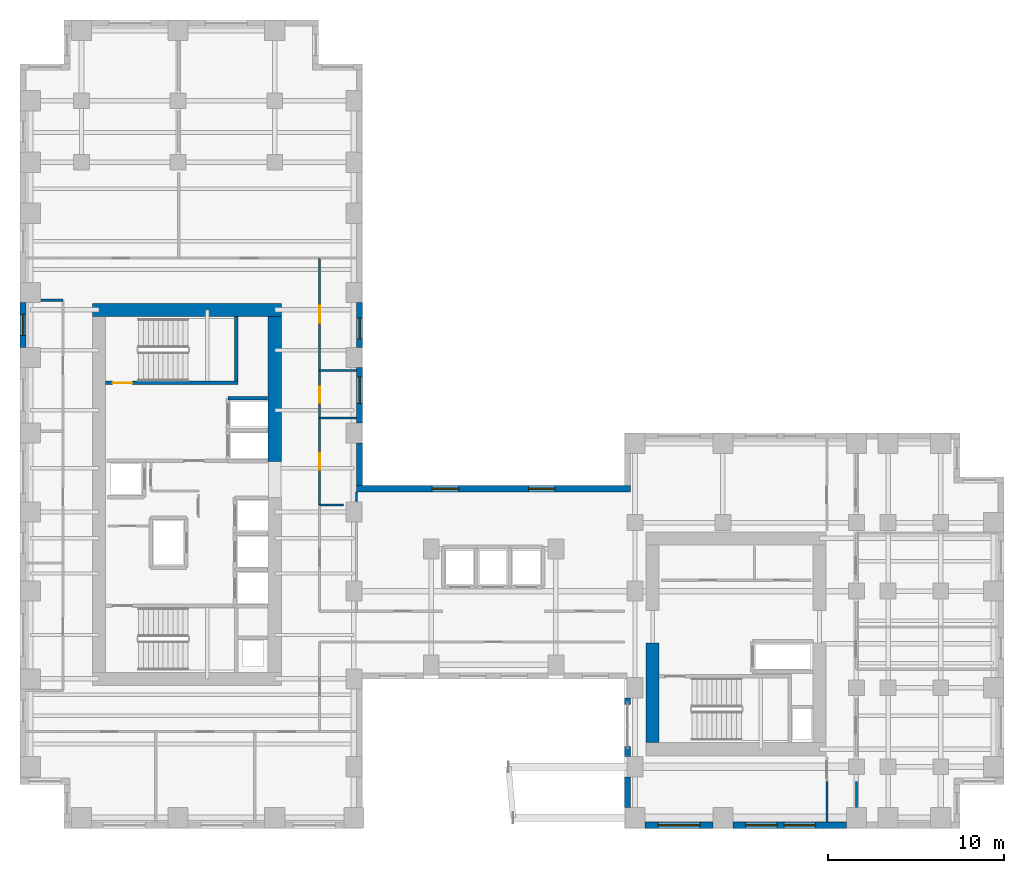
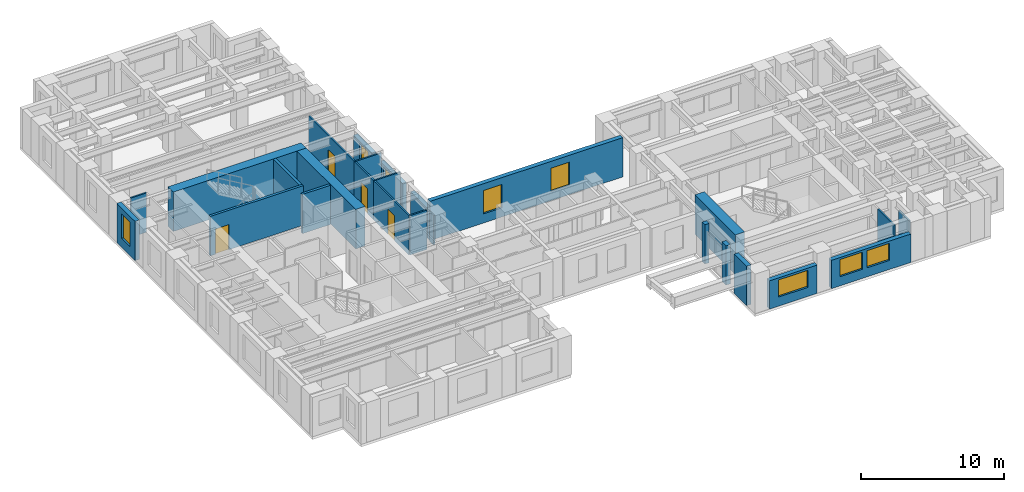
# One storey, part 9 of 14: 26 walls, 8 windows, 4 doors, 12 openings.
"""IFC4 building model written with IfcOpenShell, lengths in metres."""

from ifc_helpers import new_model, si_unit, direction, frame, frame_2d, origin, place, context, subcontext, project, spatial, rectangle, extrude, source, transform, mapped, material, layer, layer_set, type_object, element, fill, save


model = new_model("IFC4")

# Units and contexts
model_context = context("Model", 3, precision=1e-05, world=origin(), true_north=direction((0.0, 1.0)))
body_context = subcontext(model_context, "Body", "Model", "MODEL_VIEW")
ifc_project = project(units=[si_unit("LENGTHUNIT", "METRE"), si_unit("AREAUNIT", "SQUARE_METRE"), si_unit("VOLUMEUNIT", "CUBIC_METRE"), si_unit("PLANEANGLEUNIT", "RADIAN"), si_unit("MASSUNIT", "GRAM", prefix="KILO")], contexts=[model_context])

# Site, building, storey
site_placement = place(None, origin())
site = spatial("IfcSite", under=ifc_project, at=site_placement, CompositionType="ELEMENT")
building_placement = place(site_placement, origin())
building = spatial("IfcBuilding", under=site, at=building_placement, Name="Kharzan Plaza Tower", CompositionType="ELEMENT")
storey_placement = place(building_placement, frame((0.0, 0.0, 131.39990234375)))
storey = spatial("IfcBuildingStorey", under=building, at=storey_placement, Name="L35", CompositionType="ELEMENT", Elevation=131.39990234375)

# Wall, opening, window
ifc_material_1 = material(Name="Concrete C40/50", Category="concrete")
ifc_layer_1 = layer(ifc_material_1, 0.35009765625)
ifc_layer_set_1 = layer_set([ifc_layer_1], Name="Concrete C40/50")
wall_type_1 = type_object("IfcWallType", Name="WL-EXT-MAS-Z2", PredefinedType="SOLIDWALL", material=ifc_layer_set_1)
wall_1_placement = place(storey_placement, frame((19.324951171875, 23.072998046875, 0.0), z_axis=(0.0, 0.0, 1.0), x_axis=(0.0, 1.0, 0.0)))
wall_1 = element("IfcWall", 1, at=wall_1_placement, inside=storey, type_object=wall_type_1, Name="L35 Masonry-Frame Exterior Wall 02", PredefinedType="SOLIDWALL", context=body_context, shape_type="SweptSolid", body=[
    extrude(rectangle(XDim=3.154052734375, YDim=0.35009765625, at=frame_2d((1.5771484375, 0.0))), origin(), (0.0, 0.0, 1.0), 2.51904296875),
])
opening_1_placement = place(wall_1_placement, frame((1.10546875, 0.0, 0.780029296875)))
opening_1 = element("IfcOpeningElement", 2, at=opening_1_placement, cuts=wall_1, Name="Opening W5", PredefinedType="OPENING", context=body_context, shape_type="SweptSolid", body=[
    extrude(rectangle(XDim=1.5, YDim=1.55908203125, at=frame_2d((0.75, 0.779541015625))), frame((0.0, 0.18505859375, 0.0), z_axis=(0.0, -1.0, 0.0), x_axis=(1.0, 0.0, 0.0)), (0.0, 0.0, 1.0), 0.3701171875),
])
ifc_material_2 = material(Name="Low-E Double Glazing", Category="glass")
window_type_1 = type_object("IfcWindowType", Name="WN-SLT-1500x2000", PartitioningType="SINGLE_PANEL", PredefinedType="WINDOW", material=ifc_material_2)
shared_shape_1 = source(origin(), body_context, "Body", "SweptSolid", [
    extrude(rectangle(XDim=1.5, YDim=1.55908203125, at=frame_2d((0.75, 0.779541015625))), frame((0.0, 0.030029296875, 0.0), z_axis=(0.0, -1.0, 0.0), x_axis=(1.0, 0.0, 0.0)), (0.0, 0.0, 1.0), 0.06005859375),
])
window_1_placement = place(opening_1_placement, origin())
window_1 = element("IfcWindow", 3, at=window_1_placement, inside=storey, type_object=window_type_1, Name="L35 Recessed Solar-Control Window 02-1", OverallHeight=1.55908203125, OverallWidth=1.5, PartitioningType="SINGLE_PANEL", PredefinedType="WINDOW", context=body_context, shape_type="MappedRepresentation", body=[
    mapped(shared_shape_1, transform((0.0, 0.0, 0.0), x_axis=(1.0, 0.0, 0.0), y_axis=(0.0, 1.0, 0.0), z_axis=(0.0, 0.0, 1.0))),
])
fill(opening_1, window_1)

wall_2_placement = place(storey_placement, frame((19.324951171875, 27.373046875, 0.0), z_axis=(0.0, 0.0, 1.0), x_axis=(0.0, 1.0, 0.0)))
wall_2 = element("IfcWall", 4, at=wall_2_placement, inside=storey, type_object=wall_type_1, Name="L35 Masonry-Frame Exterior Wall 03", PredefinedType="SOLIDWALL", context=body_context, shape_type="SweptSolid", body=[
    extrude(rectangle(XDim=2.553955078125, YDim=0.35009765625, at=frame_2d((1.27685546875, 0.0))), origin(), (0.0, 0.0, 1.0), 2.51904296875),
])
opening_2_placement = place(wall_2_placement, frame((0.47998046875, 0.0, 0.780029296875)))
opening_2 = element("IfcOpeningElement", 5, at=opening_2_placement, cuts=wall_2, Name="Opening W3", PredefinedType="OPENING", context=body_context, shape_type="SweptSolid", body=[
    extrude(rectangle(XDim=1.199951171875, YDim=1.55908203125, at=frame_2d((0.60009765625, 0.779541015625))), frame((0.0, 0.18505859375, 0.0), z_axis=(0.0, -1.0, 0.0), x_axis=(1.0, 0.0, 0.0)), (0.0, 0.0, 1.0), 0.3701171875),
])
window_type_2 = type_object("IfcWindowType", Name="WN-REC-1200x2100", PartitioningType="SINGLE_PANEL", PredefinedType="WINDOW", material=ifc_material_2)
shared_shape_2 = source(origin(), body_context, "Body", "SweptSolid", [
    extrude(rectangle(XDim=1.199951171875, YDim=1.55908203125, at=frame_2d((0.60009765625, 0.779541015625))), frame((0.0, 0.030029296875, 0.0), z_axis=(0.0, -1.0, 0.0), x_axis=(1.0, 0.0, 0.0)), (0.0, 0.0, 1.0), 0.06005859375),
])
window_2_placement = place(opening_2_placement, origin())
window_2 = element("IfcWindow", 6, at=window_2_placement, inside=storey, type_object=window_type_2, Name="L35 Recessed Solar-Control Window 03-1", OverallHeight=1.55908203125, OverallWidth=1.199951171875, PartitioningType="SINGLE_PANEL", PredefinedType="WINDOW", context=body_context, shape_type="MappedRepresentation", body=[
    mapped(shared_shape_2, transform((0.0, 0.0, 0.0), x_axis=(1.0, 0.0, 0.0), y_axis=(0.0, 1.0, 0.0), z_axis=(0.0, 0.0, 1.0))),
])
fill(opening_2, window_2)

wall_3_placement = place(storey_placement, frame((0.175048828125, 29.927001953125, 0.0), z_axis=(0.0, 0.0, 1.0), x_axis=(0.0, -1.0, 0.0)))
wall_3 = element("IfcWall", 7, at=wall_3_placement, inside=storey, type_object=wall_type_1, Name="L35 Masonry-Frame Exterior Wall 20", PredefinedType="SOLIDWALL", context=body_context, shape_type="SweptSolid", body=[
    extrude(rectangle(XDim=2.553955078125, YDim=0.35009765625, at=frame_2d((1.27685546875, 0.0))), origin(), (0.0, 0.0, 1.0), 3.364990234375),
])
opening_3_placement = place(wall_3_placement, frame((0.677001953125, 0.0, 0.780029296875)))
opening_3 = element("IfcOpeningElement", 8, at=opening_3_placement, cuts=wall_3, Name="Opening W3", PredefinedType="OPENING", context=body_context, shape_type="SweptSolid", body=[
    extrude(rectangle(XDim=1.199951171875, YDim=2.10009765625, at=frame_2d((0.60009765625, 1.050048828125))), frame((0.0, 0.18505859375, 0.0), z_axis=(0.0, -1.0, 0.0), x_axis=(1.0, 0.0, 0.0)), (0.0, 0.0, 1.0), 0.3701171875),
])
shared_shape_3 = source(origin(), body_context, "Body", "SweptSolid", [
    extrude(rectangle(XDim=1.199951171875, YDim=2.10009765625, at=frame_2d((0.60009765625, 1.050048828125))), frame((0.0, 0.030029296875, 0.0), z_axis=(0.0, -1.0, 0.0), x_axis=(1.0, 0.0, 0.0)), (0.0, 0.0, 1.0), 0.06005859375),
])
window_3_placement = place(opening_3_placement, origin())
window_3 = element("IfcWindow", 9, at=window_3_placement, inside=storey, type_object=window_type_2, Name="L35 Recessed Solar-Control Window 20-1", OverallHeight=2.10009765625, OverallWidth=1.199951171875, PartitioningType="SINGLE_PANEL", PredefinedType="WINDOW", context=body_context, shape_type="MappedRepresentation", body=[
    mapped(shared_shape_3, transform((0.0, 0.0, 0.0), x_axis=(1.0, 0.0, 0.0), y_axis=(0.0, 1.0, 0.0), z_axis=(0.0, 0.0, 1.0))),
])
fill(opening_3, window_3)

wall_4_placement = place(storey_placement, frame((35.572998046875, 0.175048828125, 0.0), z_axis=(0.0, 0.0, 1.0), x_axis=(1.0, 0.0, 0.0)))
wall_4 = element("IfcWall", 10, at=wall_4_placement, inside=storey, type_object=wall_type_1, Name="L35 Masonry-Frame Exterior Wall 40", PredefinedType="SOLIDWALL", context=body_context, shape_type="SweptSolid", body=[
    extrude(rectangle(XDim=3.85400390625, YDim=0.35009765625, at=frame_2d((1.927001953125, 0.0))), origin(), (0.0, 0.0, 1.0), 2.427978515625),
])
opening_4_placement = place(wall_4_placement, frame((0.72705078125, 0.0, 0.780029296875)))
opening_4 = element("IfcOpeningElement", 11, at=opening_4_placement, cuts=wall_4, Name="Opening W2", PredefinedType="OPENING", context=body_context, shape_type="SweptSolid", body=[
    extrude(rectangle(XDim=2.39990234375, YDim=1.468017578125, at=frame_2d((1.199951171875, 0.73388671875))), frame((0.0, 0.18505859375, 0.0), z_axis=(0.0, -1.0, 0.0), x_axis=(1.0, 0.0, 0.0)), (0.0, 0.0, 1.0), 0.3701171875),
])
window_type_3 = type_object("IfcWindowType", Name="WN-REC-2400x2100", PartitioningType="SINGLE_PANEL", PredefinedType="WINDOW", material=ifc_material_2)
shared_shape_4 = source(origin(), body_context, "Body", "SweptSolid", [
    extrude(rectangle(XDim=2.39990234375, YDim=1.468017578125, at=frame_2d((1.199951171875, 0.73388671875))), frame((0.0, 0.030029296875, 0.0), z_axis=(0.0, -1.0, 0.0), x_axis=(1.0, 0.0, 0.0)), (0.0, 0.0, 1.0), 0.06005859375),
])
window_4_placement = place(opening_4_placement, origin())
window_4 = element("IfcWindow", 12, at=window_4_placement, inside=storey, type_object=window_type_3, Name="L35 Wide Recessed Solar-Control Window 40-1", OverallHeight=1.468017578125, OverallWidth=2.39990234375, PartitioningType="SINGLE_PANEL", PredefinedType="WINDOW", context=body_context, shape_type="MappedRepresentation", body=[
    mapped(shared_shape_4, transform((0.0, 0.0, 0.0), x_axis=(1.0, 0.0, 0.0), y_axis=(0.0, 1.0, 0.0), z_axis=(0.0, 0.0, 1.0))),
])
fill(opening_4, window_4)

# Wall, openings, windows
wall_5_placement = place(storey_placement, frame((40.572998046875, 0.175048828125, 0.0), z_axis=(0.0, 0.0, 1.0), x_axis=(1.0, 0.0, 0.0)))
wall_5 = element("IfcWall", 13, at=wall_5_placement, inside=storey, type_object=wall_type_1, Name="L35 Masonry-Frame Exterior Wall 41", PredefinedType="SOLIDWALL", context=body_context, shape_type="SweptSolid", body=[
    extrude(rectangle(XDim=6.4541015625, YDim=0.35009765625, at=frame_2d((3.22705078125, 0.0))), origin(), (0.0, 0.0, 1.0), 2.427978515625),
])
opening_5_placement = place(wall_5_placement, frame((0.71240234375, 0.0, 0.780029296875)))
opening_5 = element("IfcOpeningElement", 14, at=opening_5_placement, cuts=wall_5, Name="Opening W1", PredefinedType="OPENING", context=body_context, shape_type="SweptSolid", body=[
    extrude(rectangle(XDim=1.800048828125, YDim=1.468017578125, at=frame_2d((0.89990234375, 0.73388671875))), frame((0.0, 0.18505859375, 0.0), z_axis=(0.0, -1.0, 0.0), x_axis=(1.0, 0.0, 0.0)), (0.0, 0.0, 1.0), 0.3701171875),
])
opening_6_placement = place(wall_5_placement, frame((2.90478515625, 0.0, 0.780029296875)))
opening_6 = element("IfcOpeningElement", 15, at=opening_6_placement, cuts=wall_5, Name="Opening W1", PredefinedType="OPENING", context=body_context, shape_type="SweptSolid", body=[
    extrude(rectangle(XDim=1.800048828125, YDim=1.468017578125, at=frame_2d((0.89990234375, 0.73388671875))), frame((0.0, 0.18505859375, 0.0), z_axis=(0.0, -1.0, 0.0), x_axis=(1.0, 0.0, 0.0)), (0.0, 0.0, 1.0), 0.3701171875),
])
window_type_4 = type_object("IfcWindowType", Name="WN-REC-1800x2100", PartitioningType="SINGLE_PANEL", PredefinedType="WINDOW", material=ifc_material_2)
shared_shape_5 = source(origin(), body_context, "Body", "SweptSolid", [
    extrude(rectangle(XDim=1.800048828125, YDim=1.468017578125, at=frame_2d((0.89990234375, 0.73388671875))), frame((0.0, 0.030029296875, 0.0), z_axis=(0.0, -1.0, 0.0), x_axis=(1.0, 0.0, 0.0)), (0.0, 0.0, 1.0), 0.06005859375),
])
window_5_placement = place(opening_5_placement, origin())
window_5 = element("IfcWindow", 16, at=window_5_placement, inside=storey, type_object=window_type_4, Name="L35 Recessed Solar-Control Window 41-1", OverallHeight=1.468017578125, OverallWidth=1.800048828125, PartitioningType="SINGLE_PANEL", PredefinedType="WINDOW", context=body_context, shape_type="MappedRepresentation", body=[
    mapped(shared_shape_5, transform((0.0, 0.0, 0.0), x_axis=(1.0, 0.0, 0.0), y_axis=(0.0, 1.0, 0.0), z_axis=(0.0, 0.0, 1.0))),
])
fill(opening_5, window_5)
window_6_placement = place(opening_6_placement, origin())
window_6 = element("IfcWindow", 17, at=window_6_placement, inside=storey, type_object=window_type_4, Name="L35 Recessed Solar-Control Window 41-2", OverallHeight=1.468017578125, OverallWidth=1.800048828125, PartitioningType="SINGLE_PANEL", PredefinedType="WINDOW", context=body_context, shape_type="MappedRepresentation", body=[
    mapped(shared_shape_5, transform((0.0, 0.0, 0.0), x_axis=(1.0, 0.0, 0.0), y_axis=(0.0, 1.0, 0.0), z_axis=(0.0, 0.0, 1.0))),
])
fill(opening_6, window_6)

wall_6_placement = place(storey_placement, frame((34.75, 19.324951171875, 0.0), z_axis=(0.0, 0.0, 1.0), x_axis=(-1.0, 0.0, 0.0)))
wall_6 = element("IfcWall", 18, at=wall_6_placement, inside=storey, type_object=wall_type_1, Name="L35 Masonry-Frame Exterior Wall 59", PredefinedType="SOLIDWALL", context=body_context, shape_type="SweptSolid", body=[
    extrude(rectangle(XDim=15.60009765625, YDim=0.35009765625, at=frame_2d((7.800048828125, 0.0))), origin(), (0.0, 0.0, 1.0), 3.364990234375),
])
opening_7_placement = place(wall_6_placement, frame((4.306640625, 0.0, 0.780029296875)))
opening_7 = element("IfcOpeningElement", 19, at=opening_7_placement, cuts=wall_6, Name="Opening W5", PredefinedType="OPENING", context=body_context, shape_type="SweptSolid", body=[
    extrude(rectangle(XDim=1.5, YDim=2.0, at=frame_2d((0.75, 1.0))), frame((0.0, 0.18505859375, 0.0), z_axis=(0.0, -1.0, 0.0), x_axis=(1.0, 0.0, 0.0)), (0.0, 0.0, 1.0), 0.3701171875),
])
opening_8_placement = place(wall_6_placement, frame((9.793212890625, 0.0, 0.780029296875)))
opening_8 = element("IfcOpeningElement", 20, at=opening_8_placement, cuts=wall_6, Name="Opening W5", PredefinedType="OPENING", context=body_context, shape_type="SweptSolid", body=[
    extrude(rectangle(XDim=1.5, YDim=2.0, at=frame_2d((0.75, 1.0))), frame((0.0, 0.18505859375, 0.0), z_axis=(0.0, -1.0, 0.0), x_axis=(1.0, 0.0, 0.0)), (0.0, 0.0, 1.0), 0.3701171875),
])
shared_shape_6 = source(origin(), body_context, "Body", "SweptSolid", [
    extrude(rectangle(XDim=1.5, YDim=2.0, at=frame_2d((0.75, 1.0))), frame((0.0, 0.030029296875, 0.0), z_axis=(0.0, -1.0, 0.0), x_axis=(1.0, 0.0, 0.0)), (0.0, 0.0, 1.0), 0.06005859375),
])
window_7_placement = place(opening_7_placement, origin())
window_7 = element("IfcWindow", 21, at=window_7_placement, inside=storey, type_object=window_type_1, Name="L35 Recessed Solar-Control Window 59-1", OverallHeight=2.0, OverallWidth=1.5, PartitioningType="SINGLE_PANEL", PredefinedType="WINDOW", context=body_context, shape_type="MappedRepresentation", body=[
    mapped(shared_shape_6, transform((0.0, 0.0, 0.0), x_axis=(1.0, 0.0, 0.0), y_axis=(0.0, 1.0, 0.0), z_axis=(0.0, 0.0, 1.0))),
])
fill(opening_7, window_7)
window_8_placement = place(opening_8_placement, origin())
window_8 = element("IfcWindow", 22, at=window_8_placement, inside=storey, type_object=window_type_1, Name="L35 Recessed Solar-Control Window 59-2", OverallHeight=2.0, OverallWidth=1.5, PartitioningType="SINGLE_PANEL", PredefinedType="WINDOW", context=body_context, shape_type="MappedRepresentation", body=[
    mapped(shared_shape_6, transform((0.0, 0.0, 0.0), x_axis=(1.0, 0.0, 0.0), y_axis=(0.0, 1.0, 0.0), z_axis=(0.0, 0.0, 1.0))),
])
fill(opening_8, window_8)

# Wall, opening, door
ifc_material_3 = material(Name="Fire-Rated Gypsum Board Partition", Category="gypsum")
ifc_layer_2 = layer(ifc_material_3, 0.125)
ifc_layer_set_2 = layer_set([ifc_layer_2], Name="Fire-Rated Gypsum Board Partition")
wall_type_2 = type_object("IfcWallType", Name="WL-INT-PART-125", PredefinedType="PARTITIONING", material=ifc_layer_set_2)
wall_7_placement = place(storey_placement, frame((17.050048828125, 18.39990234375, 0.0), z_axis=(0.0, 0.0, 1.0), x_axis=(0.0, 1.0, 0.0)))
wall_7 = element("IfcWall", 23, at=wall_7_placement, inside=storey, type_object=wall_type_2, Name="L35 Interior Partition SH-AEWN2", PredefinedType="PARTITIONING", context=body_context, shape_type="SweptSolid", body=[
    extrude(rectangle(XDim=4.9501953125, YDim=0.125, at=frame_2d((2.47509765625, 0.0))), origin(), (0.0, 0.0, 1.0), 3.364990234375),
])
opening_9_placement = place(wall_7_placement, frame((2.0, 0.0, 0.0)))
opening_9 = element("IfcOpeningElement", 24, at=opening_9_placement, cuts=wall_7, Name="Opening OD1", PredefinedType="OPENING", context=body_context, shape_type="SweptSolid", body=[
    extrude(rectangle(XDim=0.949951171875, YDim=2.14990234375, at=frame_2d((0.47509765625, 1.074951171875))), frame((0.0, 0.072509765625, 0.0), z_axis=(0.0, -1.0, 0.0), x_axis=(1.0, 0.0, 0.0)), (0.0, 0.0, 1.0), 0.14501953125),
])
ifc_material_4 = material(Name="Acoustic Solid-Core Stained Oak", Category="timber")
door_type_1 = type_object("IfcDoorType", Name="DR-OFF-SINGLE", OperationType="NOTDEFINED", PredefinedType="DOOR", material=ifc_material_4)
shared_shape_7 = source(origin(), body_context, "Body", "SweptSolid", [
    extrude(rectangle(XDim=0.949951171875, YDim=2.14990234375, at=frame_2d((0.47509765625, 1.074951171875))), frame((0.0, 0.02490234375, 0.0), z_axis=(0.0, -1.0, 0.0), x_axis=(1.0, 0.0, 0.0)), (0.0, 0.0, 1.0), 0.050048828125),
])
door_1_placement = place(opening_9_placement, origin())
door_1 = element("IfcDoor", 25, at=door_1_placement, inside=storey, type_object=door_type_1, Name="L35 Slot Studio Door", OperationType="SINGLE_SWING_LEFT", OverallHeight=2.14990234375, OverallWidth=0.949951171875, PredefinedType="DOOR", context=body_context, shape_type="MappedRepresentation", body=[
    mapped(shared_shape_7, transform((0.0, 0.0, 0.0), x_axis=(1.0, 0.0, 0.0), y_axis=(0.0, 1.0, 0.0), z_axis=(0.0, 0.0, 1.0))),
])
fill(opening_9, door_1)

wall_8_placement = place(storey_placement, frame((17.050048828125, 26.050048828125, 0.0), z_axis=(0.0, 0.0, 1.0), x_axis=(0.0, 1.0, 0.0)))
wall_8 = element("IfcWall", 26, at=wall_8_placement, inside=storey, type_object=wall_type_2, Name="L35 Interior Partition SH-AEWN3", PredefinedType="PARTITIONING", context=body_context, shape_type="SweptSolid", body=[
    extrude(rectangle(XDim=6.39990234375, YDim=0.125, at=frame_2d((3.199951171875, 0.0))), origin(), (0.0, 0.0, 1.0), 3.364990234375),
])
opening_10_placement = place(wall_8_placement, frame((2.72509765625, 0.0, 0.0)))
opening_10 = element("IfcOpeningElement", 27, at=opening_10_placement, cuts=wall_8, Name="Opening OD1", PredefinedType="OPENING", context=body_context, shape_type="SweptSolid", body=[
    extrude(rectangle(XDim=0.949951171875, YDim=2.14990234375, at=frame_2d((0.47509765625, 1.074951171875))), frame((0.0, 0.072509765625, 0.0), z_axis=(0.0, -1.0, 0.0), x_axis=(1.0, 0.0, 0.0)), (0.0, 0.0, 1.0), 0.14501953125),
])
door_2_placement = place(opening_10_placement, origin())
door_2 = element("IfcDoor", 28, at=door_2_placement, inside=storey, type_object=door_type_1, Name="L35 Staff Tea Point Door", OperationType="SINGLE_SWING_LEFT", OverallHeight=2.14990234375, OverallWidth=0.949951171875, PredefinedType="DOOR", context=body_context, shape_type="MappedRepresentation", body=[
    mapped(shared_shape_7, transform((0.0, 0.0, 0.0), x_axis=(1.0, 0.0, 0.0), y_axis=(0.0, 1.0, 0.0), z_axis=(0.0, 0.0, 1.0))),
])
fill(opening_10, door_2)

wall_9_placement = place(storey_placement, frame((17.050048828125, 23.35009765625, 0.0), z_axis=(0.0, 0.0, 1.0), x_axis=(0.0, 1.0, 0.0)))
wall_9 = element("IfcWall", 29, at=wall_9_placement, inside=storey, type_object=wall_type_2, Name="L35 Interior Partition SH-AEWW", PredefinedType="PARTITIONING", context=body_context, shape_type="SweptSolid", body=[
    extrude(rectangle(XDim=2.699951171875, YDim=0.125, at=frame_2d((1.35009765625, 0.0))), origin(), (0.0, 0.0, 1.0), 3.364990234375),
])
opening_11_placement = place(wall_9_placement, frame((0.875, 0.0, 0.0)))
opening_11 = element("IfcOpeningElement", 30, at=opening_11_placement, cuts=wall_9, Name="Opening WD1", PredefinedType="OPENING", context=body_context, shape_type="SweptSolid", body=[
    extrude(rectangle(XDim=0.89990234375, YDim=2.14990234375, at=frame_2d((0.449951171875, 1.074951171875))), frame((0.0, 0.072509765625, 0.0), z_axis=(0.0, -1.0, 0.0), x_axis=(1.0, 0.0, 0.0)), (0.0, 0.0, 1.0), 0.14501953125),
])
ifc_material_5 = material(Name="Moisture-Resistant Fire-Rated Laminate", Category="timber")
door_type_2 = type_object("IfcDoorType", Name="DR-WC-900", OperationType="NOTDEFINED", PredefinedType="DOOR", material=ifc_material_5)
shared_shape_8 = source(origin(), body_context, "Body", "SweptSolid", [
    extrude(rectangle(XDim=0.89990234375, YDim=2.14990234375, at=frame_2d((0.449951171875, 1.074951171875))), frame((0.0, 0.02490234375, 0.0), z_axis=(0.0, -1.0, 0.0), x_axis=(1.0, 0.0, 0.0)), (0.0, 0.0, 1.0), 0.050048828125),
])
door_3_placement = place(opening_11_placement, origin())
door_3 = element("IfcDoor", 31, at=door_3_placement, inside=storey, type_object=door_type_2, Name="L35 Wing A Washroom Door", OperationType="SINGLE_SWING_RIGHT", OverallHeight=2.14990234375, OverallWidth=0.89990234375, PredefinedType="DOOR", context=body_context, shape_type="MappedRepresentation", body=[
    mapped(shared_shape_8, transform((0.0, 0.0, 0.0), x_axis=(1.0, 0.0, 0.0), y_axis=(0.0, 1.0, 0.0), z_axis=(0.0, 0.0, 1.0))),
])
fill(opening_11, door_3)

ifc_material_6 = material(Name="Concrete C50/60", Category="concrete")
ifc_layer_3 = layer(ifc_material_6, 0.199951171875)
ifc_layer_set_3 = layer_set([ifc_layer_3], Name="Concrete C50/60")
wall_type_3 = type_object("IfcWallType", Name="WL-SHAFT-RC200", PredefinedType="SHEAR", material=ifc_layer_set_3)
wall_10_placement = place(storey_placement, frame((4.876953125, 25.344970703125, 0.0), z_axis=(0.0, 0.0, 1.0), x_axis=(1.0, 0.0, 0.0)))
wall_10 = element("IfcWall", 32, at=wall_10_placement, inside=storey, type_object=wall_type_3, Name="L35 Stair ST-2 South RC Shaft Wall", PredefinedType="SHEAR", context=body_context, shape_type="SweptSolid", body=[
    extrude(rectangle(XDim=7.528076171875, YDim=0.199951171875, at=frame_2d((3.76416015625, 0.0))), origin(), (0.0, 0.0, 1.0), 3.380126953125),
])
opening_12_placement = place(wall_10_placement, frame((0.39990234375, 0.0, 0.0)))
opening_12 = element("IfcOpeningElement", 33, at=opening_12_placement, cuts=wall_10, Name="Opening SD1", PredefinedType="OPENING", context=body_context, shape_type="SweptSolid", body=[
    extrude(rectangle(XDim=1.10009765625, YDim=2.14990234375, at=frame_2d((0.550048828125, 1.074951171875))), frame((0.0, 0.10986328125, 0.0), z_axis=(0.0, -1.0, 0.0), x_axis=(1.0, 0.0, 0.0)), (0.0, 0.0, 1.0), 0.219970703125),
])
ifc_material_7 = material(Name="Fire-Rated Hollow Galvanized Steel", Category="steel")
door_type_3 = type_object("IfcDoorType", Name="DR-STAIR-FD120", OperationType="NOTDEFINED", PredefinedType="DOOR", material=ifc_material_7)
shared_shape_9 = source(origin(), body_context, "Body", "SweptSolid", [
    extrude(rectangle(XDim=1.10009765625, YDim=2.14990234375, at=frame_2d((0.550048828125, 1.074951171875))), frame((0.0, 0.02490234375, 0.0), z_axis=(0.0, -1.0, 0.0), x_axis=(1.0, 0.0, 0.0)), (0.0, 0.0, 1.0), 0.050048828125),
])
door_4_placement = place(opening_12_placement, origin())
door_4 = element("IfcDoor", 34, at=door_4_placement, inside=storey, type_object=door_type_3, Name="L35 Stair ST-2 Fire Exit Door", OperationType="SINGLE_SWING_LEFT", OverallHeight=2.14990234375, OverallWidth=1.10009765625, PredefinedType="DOOR", context=body_context, shape_type="MappedRepresentation", body=[
    mapped(shared_shape_9, transform((0.0, 0.0, 0.0), x_axis=(1.0, 0.0, 0.0), y_axis=(0.0, 1.0, 0.0), z_axis=(0.0, 0.0, 1.0))),
])
fill(opening_12, door_4)

# Walls
shared_shape_10 = source(origin(), body_context, "Body", "SweptSolid", [
    extrude(rectangle(XDim=2.2978515625, YDim=0.125, at=frame_2d((1.14892578125, 0.0))), origin(), (0.0, 0.0, 1.0), 3.364990234375),
])
wall_11_placement = place(storey_placement, frame((45.919921875, 0.35205078125, 0.0), z_axis=(0.0, 0.0, 1.0), x_axis=(0.0, 1.0, 0.0)))
element("IfcWall", 35, at=wall_11_placement, inside=storey, type_object=wall_type_2, Name="L35 Interior Partition SH-RBSE0", PredefinedType="PARTITIONING", context=body_context, shape_type="MappedRepresentation", body=[
    mapped(shared_shape_10, transform((0.0, 0.0, 0.0), x_axis=(1.0, 0.0, 0.0), y_axis=(0.0, 1.0, 0.0), z_axis=(0.0, 0.0, 1.0))),
])
shared_shape_11 = source(origin(), body_context, "Body", "SweptSolid", [
    extrude(rectangle(XDim=2.097900390625, YDim=0.125, at=frame_2d((1.048828125, 0.0))), origin(), (0.0, 0.0, 1.0), 3.364990234375),
])
for number, where, z_axis, x_axis, name in (
    (36, (17.050048828125, 23.35009765625, 0.0), (0.0, 0.0, 1.0), (1.0, 0.0, 0.0), "L35 Interior Partition SH-AEH-233"),
    (37, (17.050048828125, 26.050048828125, 0.0), (0.0, 0.0, 1.0), (1.0, 0.0, 0.0), "L35 Interior Partition SH-AEH-260"),
):
    element("IfcWall", number, at=place(storey_placement, frame(where, z_axis=z_axis, x_axis=x_axis)), inside=storey, type_object=wall_type_2, Name=name, PredefinedType="PARTITIONING", context=body_context, shape_type="MappedRepresentation", body=[
        mapped(shared_shape_11, transform((0.0, 0.0, 0.0), x_axis=(1.0, 0.0, 0.0), y_axis=(0.0, 1.0, 0.0), z_axis=(0.0, 0.0, 1.0))),
    ])
ifc_material_8 = material(Name="Concrete C60/75", Category="concrete")
ifc_layer_4 = layer(ifc_material_8, 0.75)
ifc_layer_set_4 = layer_set([ifc_layer_4], Name="Concrete C60/75")
wall_type_4 = type_object("IfcWallType", Name="WL-CORE-750", PredefinedType="SHEAR", material=ifc_layer_set_4)
shared_shape_12 = source(origin(), body_context, "Body", "SweptSolid", [
    extrude(rectangle(XDim=8.2451171875, YDim=0.75, at=frame_2d((4.12255859375, 0.0))), origin(), (0.0, 0.0, 1.0), 3.380126953125),
])
wall_12_placement = place(storey_placement, frame((14.5, 20.8798828125, 0.0), z_axis=(0.0, 0.0, 1.0), x_axis=(0.0, 1.0, 0.0)))
element("IfcWall", 38, at=wall_12_placement, inside=storey, type_object=wall_type_4, Name="L35 CORE-A east shear pier 2", PredefinedType="SHEAR", context=body_context, shape_type="MappedRepresentation", body=[
    mapped(shared_shape_12, transform((0.0, 0.0, 0.0), x_axis=(1.0, 0.0, 0.0), y_axis=(0.0, 1.0, 0.0), z_axis=(0.0, 0.0, 1.0))),
])
shared_shape_13 = source(origin(), body_context, "Body", "SweptSolid", [
    extrude(rectangle(XDim=10.75, YDim=0.75, at=frame_2d((5.375, 0.0))), origin(), (0.0, 0.0, 1.0), 3.380126953125),
])
wall_13_placement = place(storey_placement, frame((4.125, 29.5, 0.0), z_axis=(0.0, 0.0, 1.0), x_axis=(1.0, 0.0, 0.0)))
element("IfcWall", 39, at=wall_13_placement, inside=storey, type_object=wall_type_4, Name="L35 CORE-A north RC shear wall", PredefinedType="SHEAR", context=body_context, shape_type="MappedRepresentation", body=[
    mapped(shared_shape_13, transform((0.0, 0.0, 0.0), x_axis=(1.0, 0.0, 0.0), y_axis=(0.0, 1.0, 0.0), z_axis=(0.0, 0.0, 1.0))),
])
shared_shape_14 = source(origin(), body_context, "Body", "SweptSolid", [
    extrude(rectangle(XDim=5.675048828125, YDim=0.75, at=frame_2d((2.83740234375, 0.0))), origin(), (0.0, 0.0, 1.0), 3.380126953125),
])
wall_14_placement = place(storey_placement, frame((36.0, 4.875, 0.0), z_axis=(0.0, 0.0, 1.0), x_axis=(0.0, 1.0, 0.0)))
element("IfcWall", 40, at=wall_14_placement, inside=storey, type_object=wall_type_4, Name="L35 CORE-B west shear pier 1", PredefinedType="SHEAR", context=body_context, shape_type="MappedRepresentation", body=[
    mapped(shared_shape_14, transform((0.0, 0.0, 0.0), x_axis=(1.0, 0.0, 0.0), y_axis=(0.0, 1.0, 0.0), z_axis=(0.0, 0.0, 1.0))),
])
shared_shape_15 = source(origin(), body_context, "Body", "SweptSolid", [
    extrude(rectangle(XDim=1.75390625, YDim=0.35009765625, at=frame_2d((0.876953125, 0.0))), origin(), (0.0, 0.0, 1.0), 3.364990234375),
])
wall_15_placement = place(storey_placement, frame((34.574951171875, 2.927001953125, 0.0), z_axis=(0.0, 0.0, 1.0), x_axis=(0.0, -1.0, 0.0)))
element("IfcWall", 41, at=wall_15_placement, inside=storey, type_object=wall_type_1, Name="L35 Masonry-Frame Exterior Wall 39", PredefinedType="SOLIDWALL", context=body_context, shape_type="MappedRepresentation", body=[
    mapped(shared_shape_15, transform((0.0, 0.0, 0.0), x_axis=(1.0, 0.0, 0.0), y_axis=(0.0, 1.0, 0.0), z_axis=(0.0, 0.0, 1.0))),
])
shared_shape_16 = source(origin(), body_context, "Body", "SweptSolid", [
    extrude(rectangle(XDim=0.376953125, YDim=0.35009765625, at=frame_2d((0.1884765625, 0.0))), origin(), (0.0, 0.0, 1.0), 3.364990234375),
])
wall_16_placement = place(storey_placement, frame((34.574951171875, 7.427001953125, 0.0), z_axis=(0.0, 0.0, 1.0), x_axis=(0.0, -1.0, 0.0)))
element("IfcWall", 42, at=wall_16_placement, inside=storey, type_object=wall_type_1, Name="L35 Masonry-Frame Exterior Wall 37", PredefinedType="SOLIDWALL", context=body_context, shape_type="MappedRepresentation", body=[
    mapped(shared_shape_16, transform((0.0, 0.0, 0.0), x_axis=(1.0, 0.0, 0.0), y_axis=(0.0, 1.0, 0.0), z_axis=(0.0, 0.0, 1.0))),
])
shared_shape_17 = source(origin(), body_context, "Body", "SweptSolid", [
    extrude(rectangle(XDim=1.260009765625, YDim=0.125, at=frame_2d((0.6298828125, 0.0))), origin(), (0.0, 0.0, 1.0), 3.364990234375),
])
wall_17_placement = place(storey_placement, frame((1.18994140625, 30.050048828125, 0.0), z_axis=(0.0, 0.0, 1.0), x_axis=(1.0, 0.0, 0.0)))
element("IfcWall", 43, at=wall_17_placement, inside=storey, type_object=wall_type_2, Name="L35 Interior Partition SH-RWN0", PredefinedType="PARTITIONING", context=body_context, shape_type="MappedRepresentation", body=[
    mapped(shared_shape_17, transform((0.0, 0.0, 0.0), x_axis=(1.0, 0.0, 0.0), y_axis=(0.0, 1.0, 0.0), z_axis=(0.0, 0.0, 1.0))),
])
ifc_layer_5 = layer(ifc_material_1, 0.199951171875)
ifc_layer_set_5 = layer_set([ifc_layer_5], Name="Concrete C40/50")
wall_type_5 = type_object("IfcWallType", Name="WL-INT-SHAFT-200", PredefinedType="PARTITIONING", material=ifc_layer_set_5)
shared_shape_18 = source(origin(), body_context, "Body", "SweptSolid", [
    extrude(rectangle(XDim=2.264892578125, YDim=0.199951171875, at=frame_2d((1.13232421875, 0.0))), origin(), (0.0, 0.0, 1.0), 3.364990234375),
])
wall_18_placement = place(storey_placement, frame((11.830078125, 24.4599609375, 0.0), z_axis=(0.0, 0.0, 1.0), x_axis=(1.0, 0.0, 0.0)))
element("IfcWall", 44, at=wall_18_placement, inside=storey, type_object=wall_type_5, Name="L35 Interior Partition SHF-FFL-2-N", PredefinedType="PARTITIONING", context=body_context, shape_type="MappedRepresentation", body=[
    mapped(shared_shape_18, transform((0.0, 0.0, 0.0), x_axis=(1.0, 0.0, 0.0), y_axis=(0.0, 1.0, 0.0), z_axis=(0.0, 0.0, 1.0))),
])
shared_shape_19 = source(origin(), body_context, "Body", "SweptSolid", [
    extrude(rectangle(XDim=3.677978515625, YDim=0.199951171875, at=frame_2d((1.8388671875, 0.0))), origin(), (0.0, 0.0, 1.0), 3.380126953125),
])
wall_19_placement = place(storey_placement, frame((12.304931640625, 25.445068359375, 0.0), z_axis=(0.0, 0.0, 1.0), x_axis=(0.0, 1.0, 0.0)))
element("IfcWall", 45, at=wall_19_placement, inside=storey, type_object=wall_type_3, Name="L35 Stair ST-2 East RC Shaft Wall", PredefinedType="SHEAR", context=body_context, shape_type="MappedRepresentation", body=[
    mapped(shared_shape_19, transform((0.0, 0.0, 0.0), x_axis=(1.0, 0.0, 0.0), y_axis=(0.0, 1.0, 0.0), z_axis=(0.0, 0.0, 1.0))),
])
shared_shape_20 = source(origin(), body_context, "Body", "SweptSolid", [
    extrude(rectangle(XDim=1.35986328125, YDim=0.125, at=frame_2d((0.679931640625, 0.0))), origin(), (0.0, 0.0, 1.0), 3.364990234375),
])
wall_20_placement = place(storey_placement, frame((17.050048828125, 18.39990234375, 0.0), z_axis=(0.0, 0.0, 1.0), x_axis=(1.0, 0.0, 0.0)))
element("IfcWall", 46, at=wall_20_placement, inside=storey, type_object=wall_type_2, Name="L35 Interior Partition SH-AEH-184", PredefinedType="PARTITIONING", context=body_context, shape_type="MappedRepresentation", body=[
    mapped(shared_shape_20, transform((0.0, 0.0, 0.0), x_axis=(1.0, 0.0, 0.0), y_axis=(0.0, 1.0, 0.0), z_axis=(0.0, 0.0, 1.0))),
])
shared_shape_21 = source(origin(), body_context, "Body", "SweptSolid", [
    extrude(rectangle(XDim=1.4599609375, YDim=0.125, at=frame_2d((0.72998046875, 0.0))), origin(), (0.0, 0.0, 1.0), 2.677001953125),
])
wall_21_placement = place(storey_placement, frame((47.60009765625, 1.18994140625, 0.0), z_axis=(0.0, 0.0, 1.0), x_axis=(0.0, 1.0, 0.0)))
element("IfcWall", 47, at=wall_21_placement, inside=storey, type_object=wall_type_2, Name="L35 Interior Partition SH-B1W0S", PredefinedType="PARTITIONING", context=body_context, shape_type="MappedRepresentation", body=[
    mapped(shared_shape_21, transform((0.0, 0.0, 0.0), x_axis=(1.0, 0.0, 0.0), y_axis=(0.0, 1.0, 0.0), z_axis=(0.0, 0.0, 1.0))),
])
shared_shape_22 = source(origin(), body_context, "Body", "SweptSolid", [
    extrude(rectangle(XDim=2.428955078125, YDim=0.35009765625, at=frame_2d((1.21435546875, 0.0))), origin(), (0.0, 0.0, 1.0), 2.51904296875),
])
wall_22_placement = place(storey_placement, frame((19.324951171875, 19.498046875, 0.0), z_axis=(0.0, 0.0, 1.0), x_axis=(0.0, 1.0, 0.0)))
element("IfcWall", 48, at=wall_22_placement, inside=storey, type_object=wall_type_1, Name="L35 Masonry-Frame Exterior Wall 01", PredefinedType="SOLIDWALL", context=body_context, shape_type="MappedRepresentation", body=[
    mapped(shared_shape_22, transform((0.0, 0.0, 0.0), x_axis=(1.0, 0.0, 0.0), y_axis=(0.0, 1.0, 0.0), z_axis=(0.0, 0.0, 1.0))),
])
shared_shape_23 = source(origin(), body_context, "Body", "SweptSolid", [
    extrude(rectangle(XDim=0.576904296875, YDim=0.35009765625, at=frame_2d((0.28857421875, 0.0))), origin(), (0.0, 0.0, 1.0), 3.364990234375),
])
wall_23_placement = place(storey_placement, frame((34.574951171875, 4.64990234375, 0.0), z_axis=(0.0, 0.0, 1.0), x_axis=(0.0, -1.0, 0.0)))
element("IfcWall", 49, at=wall_23_placement, inside=storey, type_object=wall_type_1, Name="L35 Masonry-Frame Exterior Wall 38", PredefinedType="SOLIDWALL", context=body_context, shape_type="MappedRepresentation", body=[
    mapped(shared_shape_23, transform((0.0, 0.0, 0.0), x_axis=(1.0, 0.0, 0.0), y_axis=(0.0, 1.0, 0.0), z_axis=(0.0, 0.0, 1.0))),
])
shared_shape_24 = source(origin(), body_context, "Body", "SweptSolid", [
    extrude(rectangle(XDim=0.557861328125, YDim=0.125, at=frame_2d((0.27880859375, 0.0))), origin(), (0.0, 0.0, 1.0), 2.51904296875),
])
wall_24_placement = place(storey_placement, frame((19.14990234375, 18.590087890625, 0.0), z_axis=(0.0, 0.0, 1.0), x_axis=(0.0, 1.0, 0.0)))
element("IfcWall", 50, at=wall_24_placement, inside=storey, type_object=wall_type_2, Name="L35 Interior Partition SH-AEN-DIV-S3", PredefinedType="PARTITIONING", context=body_context, shape_type="MappedRepresentation", body=[
    mapped(shared_shape_24, transform((0.0, 0.0, 0.0), x_axis=(1.0, 0.0, 0.0), y_axis=(0.0, 1.0, 0.0), z_axis=(0.0, 0.0, 1.0))),
])

save(model, "model.ifc")
